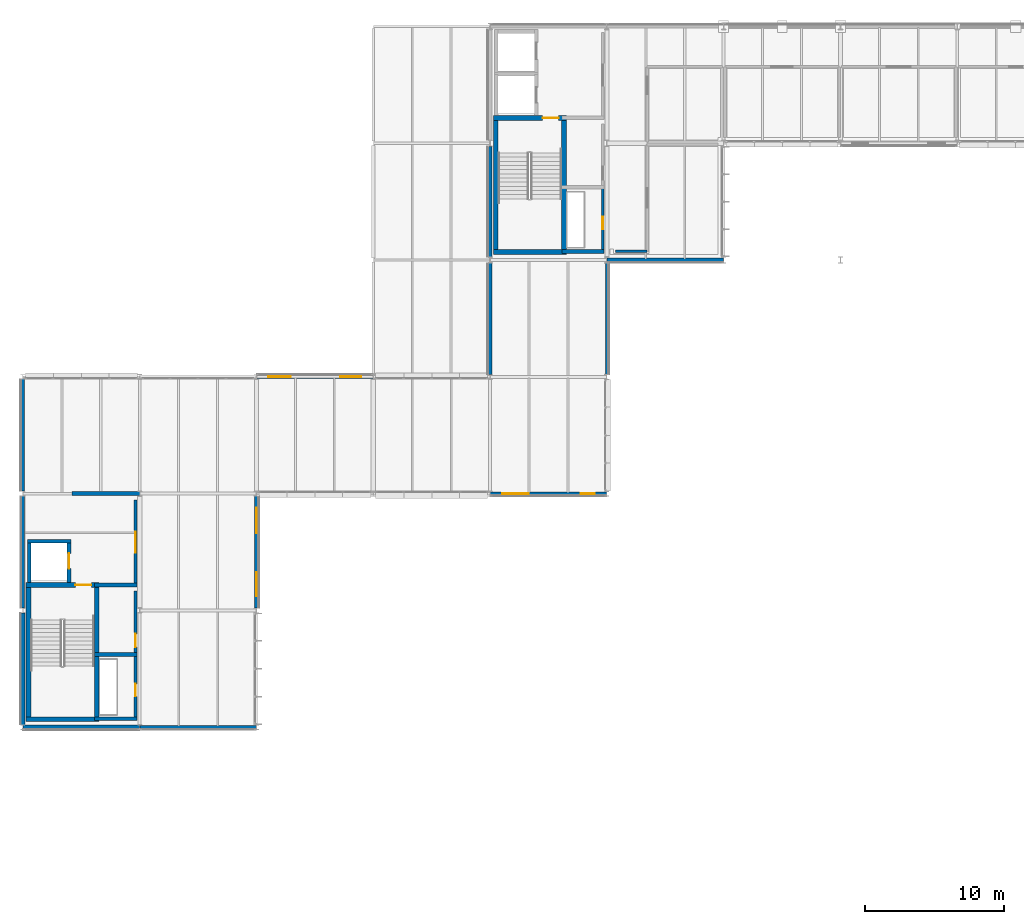
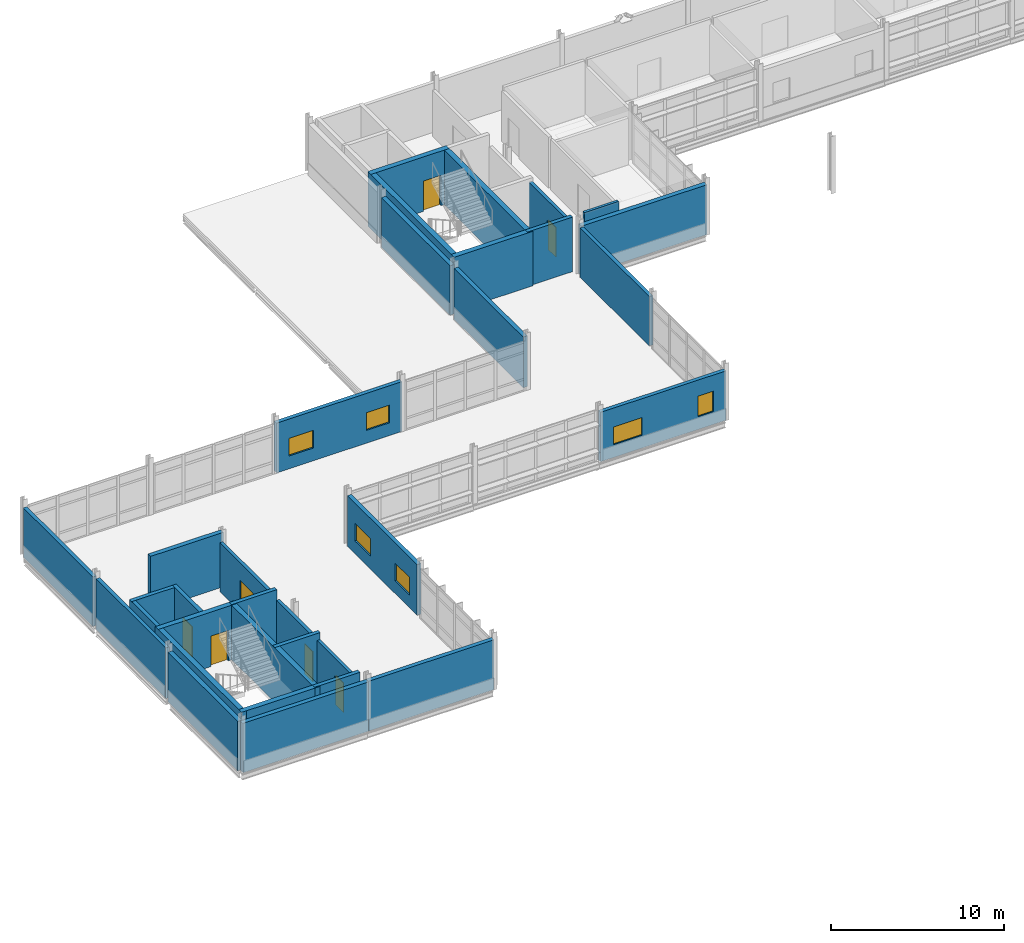
# One storey, part 107 of 131: 33 walls, 7 doors, 6 windows, 13 openings.
"""IFC4 building model written with IfcOpenShell, lengths in metres."""

import ifcopenshell
import ifcopenshell.guid

model = None  # the IFC model being written
_history = None  # IfcOwnerHistory: only IFC2X3 demands one
_inside = {}  # id of a spatial element -> (the spatial element, [elements in it])
_under = {}  # id of a project, library or spatial element -> (it, [spatial elements below it])
_declared = {}  # id of a project -> (the project, [libraries it declares])
_typed = {}  # id of a type object -> (the type object, [elements of that type])
_made_of = {}  # id of a material, layer set ... -> (it, [elements and type objects made of it])


def new_model(schema):
    """Start an empty IFC model of exactly this schema.

    Asked for "IFC4X3", IfcOpenShell would pick the latest addendum, in which some entities
    have other attributes; the version numbers below select the first issue.
    IFC2X3 requires an IfcOwnerHistory on every rooted entity: one is made here for all.
    """
    global model, _history
    if schema == "IFC4X3":
        model = ifcopenshell.file(schema_version=(4, 3, 0, 0))
    else:
        model = ifcopenshell.file(schema=schema)
    _inside.clear()
    _under.clear()
    _declared.clear()
    _typed.clear()
    _made_of.clear()
    _history = None
    if model.schema == "IFC2X3":
        org = make("IfcOrganization", Name="unknown")
        user = make(
            "IfcPersonAndOrganization",
            ThePerson=make("IfcPerson", FamilyName="unknown"),
            TheOrganization=org,
        )
        app = make(
            "IfcApplication",
            ApplicationDeveloper=org,
            Version="unknown",
            ApplicationFullName="unknown",
            ApplicationIdentifier="unknown",
        )
        _history = make(
            "IfcOwnerHistory",
            OwningUser=user,
            OwningApplication=app,
            ChangeAction="ADDED",
            CreationDate=0,
        )
    return model


def make(cls, **values):
    """One entity of the class cls with the attributes given. An attribute that is None is left unset."""
    return model.create_entity(
        cls, **{name: value for name, value in values.items() if value is not None}
    )


def rooted(cls, **values):
    """An entity with a GlobalId (a new one), such as an element, a storey or a relation."""
    return make(cls, GlobalId=ifcopenshell.guid.new(), OwnerHistory=_history, **values)


def si_unit(unit_type, name, prefix=None):
    """IfcSIUnit, for example si_unit("LENGTHUNIT", "METRE", prefix="MILLI")."""
    return make("IfcSIUnit", UnitType=unit_type, Prefix=prefix, Name=name)


def assignment(units):
    """IfcUnitAssignment: the units of a project."""
    return None if units is None else make("IfcUnitAssignment", Units=units)


def point(xyz):
    """IfcCartesianPoint."""
    return None if xyz is None else make("IfcCartesianPoint", Coordinates=xyz)


def direction(xyz):
    """IfcDirection."""
    return None if xyz is None else make("IfcDirection", DirectionRatios=xyz)


def frame(location, z_axis=None, x_axis=None):
    """IfcAxis2Placement3D, a coordinate frame: its origin and axes. An axis left out is left unset."""
    return make(
        "IfcAxis2Placement3D",
        Location=point(location),
        Axis=direction(z_axis),
        RefDirection=direction(x_axis),
    )


def frame_2d(location, x_axis=None):
    """IfcAxis2Placement2D, a coordinate frame in the plane: its origin and x axis."""
    return make(
        "IfcAxis2Placement2D", Location=point(location), RefDirection=direction(x_axis)
    )


def origin():
    """The frame at (0, 0, 0) with its axes left unset."""
    return frame((0.0, 0.0, 0.0))


def place(relative_to, where):
    """IfcLocalPlacement: puts the frame where relative to a parent placement (None: the world)."""
    return make(
        "IfcLocalPlacement", PlacementRelTo=relative_to, RelativePlacement=where
    )


def context(
    kind, dimensions, precision=None, world=None, true_north=None, identifier=None
):
    """IfcGeometricRepresentationContext, for example the 3D "Model" context."""
    return make(
        "IfcGeometricRepresentationContext",
        ContextIdentifier=identifier,
        ContextType=kind,
        CoordinateSpaceDimension=dimensions,
        Precision=precision,
        WorldCoordinateSystem=world,
        TrueNorth=true_north,
    )


def subcontext(parent, identifier, kind, view, scale=None):
    """IfcGeometricRepresentationSubContext, for example "Body" below "Model"."""
    return make(
        "IfcGeometricRepresentationSubContext",
        ContextIdentifier=identifier,
        ContextType=kind,
        ParentContext=parent,
        TargetScale=scale,
        TargetView=view,
    )


def project(units=None, contexts=None):
    """IfcProject with its units and contexts."""
    return rooted(
        "IfcProject",
        Name="project",
        RepresentationContexts=contexts,
        UnitsInContext=assignment(units),
    )


def spatial(cls, under=None, at=None, **own):
    """A site, building, storey or space (cls), placed at a placement, below another one or the project."""
    s = rooted(cls, ObjectPlacement=at, **own)
    if under is not None:
        _under.setdefault(under.id(), (under, []))[1].append(s)
    return s


def profile(cls, at=None, kind="AREA", **sizes):
    """A parametric profile (cls). Its sizes go by their IFC names, for example OverallWidth=200.0."""
    return make(cls, ProfileType=kind, Position=at, **sizes)


def rectangle(**sizes):
    """IfcRectangleProfileDef."""
    return profile("IfcRectangleProfileDef", **sizes)


def extrude(swept, where, along, depth):
    """IfcExtrudedAreaSolid: the profile swept, set in the frame where, extruded along a direction by depth."""
    return make(
        "IfcExtrudedAreaSolid",
        SweptArea=swept,
        Position=where,
        ExtrudedDirection=direction(along),
        Depth=depth,
    )


def shape(context_of_items, identifier, shape_type, items):
    """IfcShapeRepresentation: the items that make up one representation, for example the "Body"."""
    return make(
        "IfcShapeRepresentation",
        ContextOfItems=context_of_items,
        RepresentationIdentifier=identifier,
        RepresentationType=shape_type,
        Items=items,
    )


def material(Name=None, Category=None):
    """IfcMaterial."""
    return make("IfcMaterial", Name=Name, Category=Category)


def layer(
    of_material, thickness, ventilated=None, Name=None, Category=None, Priority=None
):
    """IfcMaterialLayer: one layer of a wall or slab, of a material (None: an air gap)."""
    return make(
        "IfcMaterialLayer",
        Material=of_material,
        LayerThickness=thickness,
        IsVentilated=ventilated,
        Name=Name,
        Category=Category,
        Priority=Priority,
    )


def layer_set(layers, Name=None):
    """IfcMaterialLayerSet."""
    return make("IfcMaterialLayerSet", MaterialLayers=layers, LayerSetName=Name)


def made_of(thing, what):
    """Note that an element or type object is made of a material, layer set ...; save() writes the relation."""
    if what is not None:
        _made_of.setdefault(what.id(), (what, []))[1].append(thing)
    return thing


def type_object(cls, material=None, **own):
    """A type object (cls), such as IfcWallType, which elements share."""
    return made_of(rooted(cls, **own), material)


def element(
    cls,
    number,
    at=None,
    inside=None,
    cuts=None,
    type_object=None,
    material=None,
    context=None,
    identifier="Body",
    shape_type=None,
    held_by="IfcProductDefinitionShape",
    body=None,
    shapes=None,
    **own,
):
    """One element of the class cls, such as IfcWall. Its Tag is "e" and its number.

    at: its placement. inside: the storey or other place that contains it. cuts: it is an
    opening in that element (IfcRelVoidsElement). A single representation is given by context,
    identifier, shape_type and body (its items); several are given by shapes. held_by: the class
    of the entity that holds the representations. save() writes the other relations.
    """
    e = rooted(cls, Tag="e%d" % number, ObjectPlacement=at, **own)
    if body is not None:
        shapes = [shape(context, identifier, shape_type, body)]
    if shapes is not None:
        e.Representation = make(held_by, Representations=shapes)
    if inside is not None:
        _inside.setdefault(inside.id(), (inside, []))[1].append(e)
    if cuts is not None:
        rooted(
            "IfcRelVoidsElement", RelatingBuildingElement=cuts, RelatedOpeningElement=e
        )
    if type_object is not None:
        _typed.setdefault(type_object.id(), (type_object, []))[1].append(e)
    return made_of(e, material)


def fill(opening, filler):
    """IfcRelFillsElement: the door or window that sits in an opening."""
    return rooted(
        "IfcRelFillsElement",
        RelatingOpeningElement=opening,
        RelatedBuildingElement=filler,
    )


def aggregate(whole, parts):
    """IfcRelAggregates: a whole, such as a stair, and the parts it consists of."""
    return rooted("IfcRelAggregates", RelatingObject=whole, RelatedObjects=parts)


def save(model, path):
    """Write the relations noted so far, then the file.

    IfcRelAggregates (storeys below a building ...), IfcRelContainedInSpatialStructure (elements
    in a storey), IfcRelDefinesByType, IfcRelAssociatesMaterial and IfcRelDeclares: one each for
    every whole, place, type object, material and project.
    """
    for whole, parts in _under.values():
        aggregate(whole, parts)
    for where, things in _inside.values():
        rooted(
            "IfcRelContainedInSpatialStructure",
            RelatedElements=things,
            RelatingStructure=where,
        )
    for kind, things in _typed.values():
        rooted("IfcRelDefinesByType", RelatedObjects=things, RelatingType=kind)
    for what, things in _made_of.values():
        rooted("IfcRelAssociatesMaterial", RelatedObjects=things, RelatingMaterial=what)
    for by, libraries in _declared.values():
        rooted("IfcRelDeclares", RelatingContext=by, RelatedDefinitions=libraries)
    model.write(path)


model = new_model("IFC4")

# Units and contexts
model_context = context("Model", 3, precision=1e-05, world=origin(), true_north=direction((0.0, 1.0)))
body_context = subcontext(model_context, "Body", "Model", "MODEL_VIEW")
ifc_project = project(units=[si_unit("LENGTHUNIT", "METRE"), si_unit("AREAUNIT", "SQUARE_METRE"), si_unit("VOLUMEUNIT", "CUBIC_METRE"), si_unit("PLANEANGLEUNIT", "RADIAN"), si_unit("MASSUNIT", "GRAM", prefix="KILO")], contexts=[model_context])

# Site, building, storey
site_placement = place(None, origin())
site = spatial("IfcSite", under=ifc_project, at=site_placement, CompositionType="ELEMENT")
building_placement = place(site_placement, origin())
building = spatial("IfcBuilding", under=site, at=building_placement, Name="Mersafa Astral City Hall", CompositionType="ELEMENT")
storey_placement = place(building_placement, frame((0.0, 0.0, 13.949951171875)))
storey = spatial("IfcBuildingStorey", under=building, at=storey_placement, Name="L03", CompositionType="ELEMENT", Elevation=13.949951171875)

# Walls
ifc_material_1 = material(Name="Precast concrete C40/50 insulated terracotta spandrel", Category="masonry")
ifc_layer_1 = layer(ifc_material_1, 0.235107421875, Name="Precast concrete C40/50 insulated terracotta spandrel")
ifc_layer_set_1 = layer_set([ifc_layer_1], Name="Precast concrete C40/50 insulated terracotta spandrel — ENV-WAL-EXT-235")
wall_type_1 = type_object("IfcWallType", Name="ENV-WAL-EXT-235", PredefinedType="STANDARD", material=ifc_layer_set_1)
wall_1_placement = place(storey_placement, frame((8.39990234375, 92.22412109375, 0.0), z_axis=(0.0, 0.0, 1.0), x_axis=(0.0, -1.0, 0.0)))
element("IfcWall", 1, at=wall_1_placement, inside=storey, type_object=wall_type_1, Name="L03 Limestone-clad exterior wall 269", PredefinedType="STANDARD", context=body_context, shape_type="SweptSolid", body=[
    extrude(rectangle(XDim=8.05810546875, YDim=0.235107421875, at=frame_2d((4.029052734375, 0.0))), origin(), (0.0, 0.0, 1.0), 3.5771484375),
])
wall_2_placement = place(storey_placement, frame((50.39990234375, 100.97607421875, 0.0), z_axis=(0.0, 0.0, 1.0), x_axis=(0.0, 1.0, 0.0)))
element("IfcWall", 2, at=wall_2_placement, inside=storey, type_object=wall_type_1, Name="L03 Limestone-clad exterior wall 275", PredefinedType="STANDARD", context=body_context, shape_type="SweptSolid", body=[
    extrude(rectangle(XDim=8.0029296875, YDim=0.235107421875, at=frame_2d((4.00146484375, 0.0))), origin(), (0.0, 0.0, 1.0), 3.487060546875),
])
ifc_layer_2 = layer(ifc_material_1, 0.25, Name="Precast concrete C40/50 insulated terracotta spandrel")
ifc_layer_set_2 = layer_set([ifc_layer_2], Name="Precast concrete C40/50 insulated terracotta spandrel — ENV-WAL-EXT-250")
wall_type_2 = type_object("IfcWallType", Name="ENV-WAL-EXT-250", PredefinedType="STANDARD", material=ifc_layer_set_2)
wall_3_placement = place(storey_placement, frame((8.39990234375, 100.634033203125, 0.0), z_axis=(0.0, 0.0, 1.0), x_axis=(0.0, -1.0, 0.0)))
element("IfcWall", 3, at=wall_3_placement, inside=storey, type_object=wall_type_2, Name="L03 Limestone-clad exterior wall 268", PredefinedType="STANDARD", context=body_context, shape_type="SweptSolid", body=[
    extrude(rectangle(XDim=8.05810546875, YDim=0.25, at=frame_2d((4.029052734375, 0.0))), origin(), (0.0, 0.0, 1.0), 3.487060546875),
])

# Wall, openings, windows
wall_4_placement = place(storey_placement, frame((42.008056640625, 92.39990234375, 0.0), z_axis=(0.0, 0.0, 1.0), x_axis=(1.0, 0.0, 0.0)))
wall_4 = element("IfcWall", 4, at=wall_4_placement, inside=storey, type_object=wall_type_2, Name="L03 Limestone-clad exterior wall 274", PredefinedType="STANDARD", context=body_context, shape_type="SweptSolid", body=[
    extrude(rectangle(XDim=8.384033203125, YDim=0.25, at=frame_2d((4.19189453125, 0.0))), origin(), (0.0, 0.0, 1.0), 3.487060546875),
])
opening_1_placement = place(wall_4_placement, frame((0.85009765625, 0.0, 0.89990234375)))
opening_1 = element("IfcOpeningElement", 5, at=opening_1_placement, cuts=wall_4, Name="Opening W-20", PredefinedType="OPENING", context=body_context, shape_type="SweptSolid", body=[
    extrude(rectangle(XDim=1.919921875, YDim=1.25, at=frame_2d((0.9599609375, 0.625))), frame((0.0, 0.135009765625, 0.0), z_axis=(0.0, -1.0, 0.0), x_axis=(1.0, 0.0, 0.0)), (0.0, 0.0, 1.0), 0.27001953125),
])
opening_2_placement = place(wall_4_placement, frame((6.513916015625, 0.0, 0.89990234375)))
opening_2 = element("IfcOpeningElement", 6, at=opening_2_placement, cuts=wall_4, Name="Opening W-21", PredefinedType="OPENING", context=body_context, shape_type="SweptSolid", body=[
    extrude(rectangle(XDim=1.02001953125, YDim=1.449951171875, at=frame_2d((0.510009765625, 0.72509765625))), frame((0.0, 0.135009765625, 0.0), z_axis=(0.0, -1.0, 0.0), x_axis=(1.0, 0.0, 0.0)), (0.0, 0.0, 1.0), 0.27001953125),
])
ifc_material_2 = material(Name="Solar control low-e double glazing in bronze frame", Category="glass")
window_type_1 = type_object("IfcWindowType", Name="ENV-WIN-W-20", PartitioningType="SINGLE_PANEL", PredefinedType="WINDOW", material=ifc_material_2)
window_1_placement = place(opening_1_placement, origin())
window_1 = element("IfcWindow", 7, at=window_1_placement, inside=storey, type_object=window_type_1, Name="L03 Solar punched window 274-L", OverallHeight=1.25, OverallWidth=1.919921875, PartitioningType="SINGLE_PANEL", PredefinedType="WINDOW", context=body_context, shape_type="SweptSolid", body=[
    extrude(rectangle(XDim=1.919921875, YDim=1.25, at=frame_2d((0.9599609375, 0.625))), frame((0.0, 0.030029296875, 0.0), z_axis=(0.0, -1.0, 0.0), x_axis=(1.0, 0.0, 0.0)), (0.0, 0.0, 1.0), 0.06005859375),
])
fill(opening_1, window_1)
window_type_2 = type_object("IfcWindowType", Name="ENV-WIN-W-21", PartitioningType="SINGLE_PANEL", PredefinedType="WINDOW", material=ifc_material_2)
window_2_placement = place(opening_2_placement, origin())
window_2 = element("IfcWindow", 8, at=window_2_placement, inside=storey, type_object=window_type_2, Name="L03 Solar punched window 274-R", OverallHeight=1.449951171875, OverallWidth=1.02001953125, PartitioningType="SINGLE_PANEL", PredefinedType="WINDOW", context=body_context, shape_type="SweptSolid", body=[
    extrude(rectangle(XDim=1.02001953125, YDim=1.449951171875, at=frame_2d((0.510009765625, 0.72509765625))), frame((0.0, 0.030029296875, 0.0), z_axis=(0.0, -1.0, 0.0), x_axis=(1.0, 0.0, 0.0)), (0.0, 0.0, 1.0), 0.06005859375),
])
fill(opening_2, window_2)

ifc_material_3 = material(Name="Precast concrete C40/50 insulated limestone wall", Category="masonry")
ifc_layer_3 = layer(ifc_material_3, 0.264892578125, Name="Precast concrete C40/50 insulated limestone wall")
ifc_layer_set_3 = layer_set([ifc_layer_3], Name="Precast concrete C40/50 insulated limestone wall — ENV-WAL-EXT-265")
wall_type_3 = type_object("IfcWallType", Name="ENV-WAL-EXT-265", PredefinedType="STANDARD", material=ifc_layer_set_3)
wall_5_placement = place(storey_placement, frame((33.592041015625, 100.800048828125, 0.0), z_axis=(0.0, 0.0, 1.0), x_axis=(-1.0, 0.0, 0.0)))
wall_5 = element("IfcWall", 9, at=wall_5_placement, inside=storey, type_object=wall_type_3, Name="L03 Limestone-clad exterior wall 267", PredefinedType="STANDARD", context=body_context, shape_type="SweptSolid", body=[
    extrude(rectangle(XDim=8.384033203125, YDim=0.264892578125, at=frame_2d((4.19189453125, 0.0))), origin(), (0.0, 0.0, 1.0), 3.51708984375),
])
opening_3_placement = place(wall_5_placement, frame((0.85009765625, 0.0, 0.89990234375)))
opening_3 = element("IfcOpeningElement", 10, at=opening_3_placement, cuts=wall_5, Name="Opening W-16", PredefinedType="OPENING", context=body_context, shape_type="SweptSolid", body=[
    extrude(rectangle(XDim=1.52001953125, YDim=1.25, at=frame_2d((0.760009765625, 0.625))), frame((0.0, 0.142333984375, 0.0), z_axis=(0.0, -1.0, 0.0), x_axis=(1.0, 0.0, 0.0)), (0.0, 0.0, 1.0), 0.284912109375),
])
opening_4_placement = place(wall_5_placement, frame((5.9140625, 0.0, 0.89990234375)))
opening_4 = element("IfcOpeningElement", 11, at=opening_4_placement, cuts=wall_5, Name="Opening W-17", PredefinedType="OPENING", context=body_context, shape_type="SweptSolid", body=[
    extrude(rectangle(XDim=1.6201171875, YDim=1.25, at=frame_2d((0.81005859375, 0.625))), frame((0.0, 0.142333984375, 0.0), z_axis=(0.0, -1.0, 0.0), x_axis=(1.0, 0.0, 0.0)), (0.0, 0.0, 1.0), 0.284912109375),
])
window_type_3 = type_object("IfcWindowType", Name="ENV-WIN-W-16", PartitioningType="SINGLE_PANEL", PredefinedType="WINDOW", material=ifc_material_2)
window_3_placement = place(opening_3_placement, origin())
window_3 = element("IfcWindow", 12, at=window_3_placement, inside=storey, type_object=window_type_3, Name="L03 Solar punched window 267-L", OverallHeight=1.25, OverallWidth=1.52001953125, PartitioningType="SINGLE_PANEL", PredefinedType="WINDOW", context=body_context, shape_type="SweptSolid", body=[
    extrude(rectangle(XDim=1.52001953125, YDim=1.25, at=frame_2d((0.760009765625, 0.625))), frame((0.0, 0.030029296875, 0.0), z_axis=(0.0, -1.0, 0.0), x_axis=(1.0, 0.0, 0.0)), (0.0, 0.0, 1.0), 0.06005859375),
])
fill(opening_3, window_3)
window_type_4 = type_object("IfcWindowType", Name="ENV-WIN-W-17", PartitioningType="SINGLE_PANEL", PredefinedType="WINDOW", material=ifc_material_2)
window_4_placement = place(opening_4_placement, origin())
window_4 = element("IfcWindow", 13, at=window_4_placement, inside=storey, type_object=window_type_4, Name="L03 Solar punched window 267-R", OverallHeight=1.25, OverallWidth=1.6201171875, PartitioningType="SINGLE_PANEL", PredefinedType="WINDOW", context=body_context, shape_type="SweptSolid", body=[
    extrude(rectangle(XDim=1.6201171875, YDim=1.25, at=frame_2d((0.81005859375, 0.625))), frame((0.0, 0.030029296875, 0.0), z_axis=(0.0, -1.0, 0.0), x_axis=(1.0, 0.0, 0.0)), (0.0, 0.0, 1.0), 0.06005859375),
])
fill(opening_4, window_4)

wall_6_placement = place(storey_placement, frame((25.199951171875, 84.166015625, 0.0), z_axis=(0.0, 0.0, 1.0), x_axis=(0.0, 1.0, 0.0)))
wall_6 = element("IfcWall", 14, at=wall_6_placement, inside=storey, type_object=wall_type_3, Name="L03 Limestone-clad exterior wall 273", PredefinedType="STANDARD", context=body_context, shape_type="SweptSolid", body=[
    extrude(rectangle(XDim=8.05810546875, YDim=0.264892578125, at=frame_2d((4.029052734375, 0.0))), origin(), (0.0, 0.0, 1.0), 3.5771484375),
])
opening_5_placement = place(wall_6_placement, frame((0.85009765625, 0.0, 0.89990234375)))
opening_5 = element("IfcOpeningElement", 15, at=opening_5_placement, cuts=wall_6, Name="Opening W-18", PredefinedType="OPENING", context=body_context, shape_type="SweptSolid", body=[
    extrude(rectangle(XDim=1.719970703125, YDim=1.25, at=frame_2d((0.85986328125, 0.625))), frame((0.0, 0.142333984375, 0.0), z_axis=(0.0, -1.0, 0.0), x_axis=(1.0, 0.0, 0.0)), (0.0, 0.0, 1.0), 0.284912109375),
])
opening_6_placement = place(wall_6_placement, frame((5.387939453125, 0.0, 0.89990234375)))
opening_6 = element("IfcOpeningElement", 16, at=opening_6_placement, cuts=wall_6, Name="Opening W-19", PredefinedType="OPENING", context=body_context, shape_type="SweptSolid", body=[
    extrude(rectangle(XDim=1.820068359375, YDim=1.25, at=frame_2d((0.91015625, 0.625))), frame((0.0, 0.142333984375, 0.0), z_axis=(0.0, -1.0, 0.0), x_axis=(1.0, 0.0, 0.0)), (0.0, 0.0, 1.0), 0.284912109375),
])
window_type_5 = type_object("IfcWindowType", Name="ENV-WIN-W-18", PartitioningType="SINGLE_PANEL", PredefinedType="WINDOW", material=ifc_material_2)
window_5_placement = place(opening_5_placement, origin())
window_5 = element("IfcWindow", 17, at=window_5_placement, inside=storey, type_object=window_type_5, Name="L03 Solar punched window 273-L", OverallHeight=1.25, OverallWidth=1.719970703125, PartitioningType="SINGLE_PANEL", PredefinedType="WINDOW", context=body_context, shape_type="SweptSolid", body=[
    extrude(rectangle(XDim=1.719970703125, YDim=1.25, at=frame_2d((0.85986328125, 0.625))), frame((0.0, 0.030029296875, 0.0), z_axis=(0.0, -1.0, 0.0), x_axis=(1.0, 0.0, 0.0)), (0.0, 0.0, 1.0), 0.06005859375),
])
fill(opening_5, window_5)
window_type_6 = type_object("IfcWindowType", Name="ENV-WIN-W-19", PartitioningType="SINGLE_PANEL", PredefinedType="WINDOW", material=ifc_material_2)
window_6_placement = place(opening_6_placement, origin())
window_6 = element("IfcWindow", 18, at=window_6_placement, inside=storey, type_object=window_type_6, Name="L03 Solar punched window 273-R", OverallHeight=1.25, OverallWidth=1.820068359375, PartitioningType="SINGLE_PANEL", PredefinedType="WINDOW", context=body_context, shape_type="SweptSolid", body=[
    extrude(rectangle(XDim=1.820068359375, YDim=1.25, at=frame_2d((0.91015625, 0.625))), frame((0.0, 0.030029296875, 0.0), z_axis=(0.0, -1.0, 0.0), x_axis=(1.0, 0.0, 0.0)), (0.0, 0.0, 1.0), 0.06005859375),
])
fill(opening_6, window_6)

# Walls
ifc_layer_4 = layer(ifc_material_3, 0.280029296875, Name="Precast concrete C40/50 insulated limestone wall")
ifc_layer_set_4 = layer_set([ifc_layer_4], Name="Precast concrete C40/50 insulated limestone wall — ENV-WAL-EXT-280")
wall_type_4 = type_object("IfcWallType", Name="ENV-WAL-EXT-280", PredefinedType="STANDARD", material=ifc_layer_set_4)
wall_7_placement = place(storey_placement, frame((42.0, 108.97900390625, 0.0), z_axis=(0.0, 0.0, 1.0), x_axis=(0.0, -1.0, 0.0)))
element("IfcWall", 19, at=wall_7_placement, inside=storey, type_object=wall_type_4, Name="L03 Limestone-clad exterior wall 266", PredefinedType="STANDARD", context=body_context, shape_type="SweptSolid", body=[
    extrude(rectangle(XDim=8.012939453125, YDim=0.280029296875, at=frame_2d((4.00634765625, 0.0))), origin(), (0.0, 0.0, 1.0), 3.5771484375),
])
wall_8_placement = place(storey_placement, frame((16.80810546875, 75.60009765625, 0.0), z_axis=(0.0, 0.0, 1.0), x_axis=(1.0, 0.0, 0.0)))
element("IfcWall", 20, at=wall_8_placement, inside=storey, type_object=wall_type_4, Name="L03 Limestone-clad exterior wall 272", PredefinedType="STANDARD", context=body_context, shape_type="SweptSolid", body=[
    extrude(rectangle(XDim=8.3837890625, YDim=0.280029296875, at=frame_2d((4.19189453125, 0.0))), origin(), (0.0, 0.0, 1.0), 3.51708984375),
])
ifc_layer_5 = layer(ifc_material_3, 0.294921875, Name="Precast concrete C40/50 insulated limestone wall")
ifc_layer_set_5 = layer_set([ifc_layer_5], Name="Precast concrete C40/50 insulated limestone wall — ENV-WAL-EXT-295")
wall_type_5 = type_object("IfcWallType", Name="ENV-WAL-EXT-295", PredefinedType="STANDARD", material=ifc_layer_set_5)
wall_9_placement = place(storey_placement, frame((42.0, 117.37890625, 0.0), z_axis=(0.0, 0.0, 1.0), x_axis=(0.0, -1.0, 0.0)))
element("IfcWall", 21, at=wall_9_placement, inside=storey, type_object=wall_type_5, Name="L03 Limestone-clad exterior wall 265", PredefinedType="STANDARD", context=body_context, shape_type="SweptSolid", body=[
    extrude(rectangle(XDim=7.9580078125, YDim=0.294921875, at=frame_2d((3.97900390625, 0.0))), origin(), (0.0, 0.0, 1.0), 3.487060546875),
])
wall_10_placement = place(storey_placement, frame((8.407958984375, 75.60009765625, 0.0), z_axis=(0.0, 0.0, 1.0), x_axis=(1.0, 0.0, 0.0)))
element("IfcWall", 22, at=wall_10_placement, inside=storey, type_object=wall_type_5, Name="L03 Limestone-clad exterior wall 271", PredefinedType="STANDARD", context=body_context, shape_type="SweptSolid", body=[
    extrude(rectangle(XDim=8.384033203125, YDim=0.294921875, at=frame_2d((4.19189453125, 0.0))), origin(), (0.0, 0.0, 1.0), 3.487060546875),
])
ifc_layer_6 = layer(ifc_material_3, 0.31005859375, Name="Precast concrete C40/50 insulated limestone wall")
ifc_layer_set_6 = layer_set([ifc_layer_6], Name="Precast concrete C40/50 insulated limestone wall — ENV-WAL-EXT-310")
wall_type_6 = type_object("IfcWallType", Name="ENV-WAL-EXT-310", PredefinedType="STANDARD", material=ifc_layer_set_6)
wall_11_placement = place(storey_placement, frame((8.39990234375, 83.833984375, 0.0), z_axis=(0.0, 0.0, 1.0), x_axis=(0.0, -1.0, 0.0)))
element("IfcWall", 23, at=wall_11_placement, inside=storey, type_object=wall_type_6, Name="L03 Limestone-clad exterior wall 270", PredefinedType="STANDARD", context=body_context, shape_type="SweptSolid", body=[
    extrude(rectangle(XDim=8.05810546875, YDim=0.31005859375, at=frame_2d((4.029052734375, 0.0))), origin(), (0.0, 0.0, 1.0), 3.487060546875),
])
wall_12_placement = place(storey_placement, frame((50.407958984375, 109.199951171875, 0.0), z_axis=(0.0, 0.0, 1.0), x_axis=(1.0, 0.0, 0.0)))
element("IfcWall", 24, at=wall_12_placement, inside=storey, type_object=wall_type_6, Name="L03 Limestone-clad exterior wall 276", PredefinedType="STANDARD", context=body_context, shape_type="SweptSolid", body=[
    extrude(rectangle(XDim=8.384033203125, YDim=0.31005859375, at=frame_2d((4.19189453125, 0.0))), origin(), (0.0, 0.0, 1.0), 3.51708984375),
])
ifc_material_4 = material(Name="Concrete C40/50", Category="concrete")
ifc_layer_7 = layer(ifc_material_4, 0.260009765625, Name="Concrete C40/50")
ifc_layer_set_7 = layer_set([ifc_layer_7], Name="Concrete C40/50 — INT-WAL-CORE-260")
wall_type_7 = type_object("IfcWallType", Name="INT-WAL-CORE-260", PredefinedType="SHEAR", material=ifc_layer_set_7)
wall_13_placement = place(storey_placement, frame((47.1650390625, 109.820068359375, 0.0), z_axis=(0.0, 0.0, 1.0), x_axis=(1.0, 0.0, 0.0)))
element("IfcWall", 25, at=wall_13_placement, inside=storey, type_object=wall_type_7, Name="L03 Core K3 riser south wall", PredefinedType="SHEAR", context=body_context, shape_type="SweptSolid", body=[
    extrude(rectangle(XDim=3.034912109375, YDim=0.260009765625, at=frame_2d((1.517578125, 0.0))), origin(), (0.0, 0.0, 1.0), 3.85009765625),
])
wall_14_placement = place(storey_placement, frame((8.715087890625, 88.985107421875, 0.0), z_axis=(0.0, 0.0, 1.0), x_axis=(1.0, 0.0, 0.0)))
element("IfcWall", 26, at=wall_14_placement, inside=storey, type_object=wall_type_7, Name="L03 Lift LF8 north shaft wall", PredefinedType="SHEAR", context=body_context, shape_type="SweptSolid", body=[
    extrude(rectangle(XDim=3.1298828125, YDim=0.260009765625, at=frame_2d((1.56494140625, 0.0))), origin(), (0.0, 0.0, 1.0), 3.85009765625),
])
wall_15_placement = place(storey_placement, frame((8.844970703125, 85.9970703125, 0.0), z_axis=(0.0, 0.0, 1.0), x_axis=(0.0, 1.0, 0.0)))
element("IfcWall", 27, at=wall_15_placement, inside=storey, type_object=wall_type_7, Name="L03 Lift LF8 back shaft wall", PredefinedType="SHEAR", context=body_context, shape_type="SweptSolid", body=[
    extrude(rectangle(XDim=3.117919921875, YDim=0.260009765625, at=frame_2d((1.55908203125, 0.0))), origin(), (0.0, 0.0, 1.0), 3.85009765625),
])

# Wall, opening, door
wall_16_placement = place(storey_placement, frame((11.715087890625, 85.9970703125, 0.0), z_axis=(0.0, 0.0, 1.0), x_axis=(0.0, 1.0, 0.0)))
wall_16 = element("IfcWall", 28, at=wall_16_placement, inside=storey, type_object=wall_type_7, Name="L03 Lift LF8 front shaft wall", PredefinedType="SHEAR", context=body_context, shape_type="SweptSolid", body=[
    extrude(rectangle(XDim=3.117919921875, YDim=0.260009765625, at=frame_2d((1.55908203125, 0.0))), origin(), (0.0, 0.0, 1.0), 3.85009765625),
])
opening_7_placement = place(wall_16_placement, frame((1.009033203125, 0.0, 0.0)))
opening_7 = element("IfcOpeningElement", 29, at=opening_7_placement, cuts=wall_16, Name="Opening LD-1", PredefinedType="OPENING", context=body_context, shape_type="SweptSolid", body=[
    extrude(rectangle(XDim=1.10009765625, YDim=2.14990234375, at=frame_2d((0.550048828125, 1.074951171875))), frame((0.0, 0.139892578125, 0.0), z_axis=(0.0, -1.0, 0.0), x_axis=(1.0, 0.0, 0.0)), (0.0, 0.0, 1.0), 0.280029296875),
])
ifc_material_5 = material(Name="Stainless steel sliding lift landing door", Category="steel")
door_type_1 = type_object("IfcDoorType", Name="INT-DR-LIFT-LD1", OperationType="NOTDEFINED", PredefinedType="DOOR", material=ifc_material_5)
door_1_placement = place(opening_7_placement, origin())
door_1 = element("IfcDoor", 30, at=door_1_placement, inside=storey, type_object=door_type_1, Name="Elevator LF8 Sliding Landing Door L03", OperationType="DOUBLE_DOOR_SLIDING", OverallHeight=2.14990234375, OverallWidth=1.10009765625, PredefinedType="DOOR", context=body_context, shape_type="SweptSolid", body=[
    extrude(rectangle(XDim=1.10009765625, YDim=2.14990234375, at=frame_2d((0.550048828125, 1.074951171875))), frame((0.0, 0.02490234375, 0.0), z_axis=(0.0, -1.0, 0.0), x_axis=(1.0, 0.0, 0.0)), (0.0, 0.0, 1.0), 0.050048828125),
])
fill(opening_7, door_1)

# Walls
for number, where, z_axis, x_axis, name in (
    (31, (13.56494140625, 76.219970703125, 0.0), (0.0, 0.0, 1.0), (1.0, 0.0, 0.0), "L03 Core K6 riser south wall"),
    (32, (13.56494140625, 80.8349609375, 0.0), (0.0, 0.0, 1.0), (1.0, 0.0, 0.0), "L03 Core K6 riser-restroom divider wall"),
    (33, (13.56494140625, 85.8349609375, 0.0), (0.0, 0.0, 1.0), (1.0, 0.0, 0.0), "L03 Core K6 restroom-lobby divider wall"),
):
    element("IfcWall", number, at=place(storey_placement, frame(where, z_axis=z_axis, x_axis=x_axis)), inside=storey, type_object=wall_type_7, Name=name, PredefinedType="SHEAR", context=body_context, shape_type="SweptSolid", body=[
        extrude(rectangle(XDim=3.03515625, YDim=0.260009765625, at=frame_2d((1.517578125, 0.0))), origin(), (0.0, 0.0, 1.0), 3.85009765625),
    ])
ifc_layer_8 = layer(ifc_material_4, 0.300048828125, Name="Concrete C40/50")
ifc_layer_set_8 = layer_set([ifc_layer_8], Name="Concrete C40/50 — INT-WAL-CORE-300")
wall_type_8 = type_object("IfcWallType", Name="INT-WAL-CORE-300", PredefinedType="SHEAR", material=ifc_layer_set_8)
wall_17_placement = place(storey_placement, frame((11.949951171875, 92.409912109375, 0.0), z_axis=(0.0, 0.0, 1.0), x_axis=(1.0, 0.0, 0.0)))
element("IfcWall", 34, at=wall_17_placement, inside=storey, type_object=wall_type_8, Name="L03 Core K6 lobby north shear wall", PredefinedType="SHEAR", context=body_context, shape_type="SweptSolid", body=[
    extrude(rectangle(XDim=4.8701171875, YDim=0.300048828125, at=frame_2d((2.43505859375, 0.0))), origin(), (0.0, 0.0, 1.0), 3.85009765625),
])
ifc_layer_9 = layer(ifc_material_4, 0.340087890625, Name="Concrete C40/50")
ifc_layer_set_9 = layer_set([ifc_layer_9], Name="Concrete C40/50 — INT-WAL-CORE-340")
wall_type_9 = type_object("IfcWallType", Name="INT-WAL-CORE-340", PredefinedType="SHEAR", material=ifc_layer_set_9)
for number, where, z_axis, x_axis, name in (
    (35, (42.405029296875, 109.60498046875, 0.0), (0.0, 0.0, 1.0), (0.0, 1.0, 0.0), "L03 Core K3 stair west shear wall"),
    (36, (47.31494140625, 109.60498046875, 0.0), (0.0, 0.0, 1.0), (0.0, 1.0, 0.0), "L03 Core K3 stair east shear wall"),
):
    element("IfcWall", number, at=place(storey_placement, frame(where, z_axis=z_axis, x_axis=x_axis)), inside=storey, type_object=wall_type_9, Name=name, PredefinedType="SHEAR", context=body_context, shape_type="SweptSolid", body=[
        extrude(rectangle(XDim=9.989990234375, YDim=0.340087890625, at=frame_2d((4.9951171875, 0.0))), origin(), (0.0, 0.0, 1.0), 3.85009765625),
    ])
wall_18_placement = place(storey_placement, frame((42.235107421875, 109.77490234375, 0.0), z_axis=(0.0, 0.0, 1.0), x_axis=(1.0, 0.0, 0.0)))
element("IfcWall", 37, at=wall_18_placement, inside=storey, type_object=wall_type_9, Name="L03 Core K3 stair south shear wall", PredefinedType="SHEAR", context=body_context, shape_type="SweptSolid", body=[
    extrude(rectangle(XDim=5.25, YDim=0.340087890625, at=frame_2d((2.625, 0.0))), origin(), (0.0, 0.0, 1.0), 3.85009765625),
])

# Wall, opening, door
wall_19_placement = place(storey_placement, frame((42.235107421875, 119.425048828125, 0.0), z_axis=(0.0, 0.0, 1.0), x_axis=(1.0, 0.0, 0.0)))
wall_19 = element("IfcWall", 38, at=wall_19_placement, inside=storey, type_object=wall_type_9, Name="L03 Core K3 stair-lobby fire wall", PredefinedType="SHEAR", context=body_context, shape_type="SweptSolid", body=[
    extrude(rectangle(XDim=5.25, YDim=0.340087890625, at=frame_2d((2.625, 0.0))), origin(), (0.0, 0.0, 1.0), 3.85009765625),
])
opening_8_placement = place(wall_19_placement, frame((3.534912109375, 0.0, 0.0)))
opening_8 = element("IfcOpeningElement", 39, at=opening_8_placement, cuts=wall_19, Name="Opening CD-1", PredefinedType="OPENING", context=body_context, shape_type="SweptSolid", body=[
    extrude(rectangle(XDim=1.14990234375, YDim=2.14990234375, at=frame_2d((0.574951171875, 1.074951171875))), frame((0.0, 0.179931640625, 0.0), z_axis=(0.0, -1.0, 0.0), x_axis=(1.0, 0.0, 0.0)), (0.0, 0.0, 1.0), 0.360107421875),
])
ifc_material_6 = material(Name="Fire-rated steel stair door", Category="steel")
door_type_2 = type_object("IfcDoorType", Name="INT-DR-STAIR-FD90-1150", OperationType="NOTDEFINED", PredefinedType="DOOR", material=ifc_material_6)
door_2_placement = place(opening_8_placement, origin())
door_2 = element("IfcDoor", 40, at=door_2_placement, inside=storey, type_object=door_type_2, Name="L03 Protected Stair ST3 Door", OperationType="SINGLE_SWING_LEFT", OverallHeight=2.14990234375, OverallWidth=1.14990234375, PredefinedType="DOOR", context=body_context, shape_type="SweptSolid", body=[
    extrude(rectangle(XDim=1.14990234375, YDim=2.14990234375, at=frame_2d((0.574951171875, 1.074951171875))), frame((0.0, 0.02490234375, 0.0), z_axis=(0.0, -1.0, 0.0), x_axis=(1.0, 0.0, 0.0)), (0.0, 0.0, 1.0), 0.050048828125),
])
fill(opening_8, door_2)

# Walls
for number, where, z_axis, x_axis, name in (
    (41, (8.804931640625, 76.0048828125, 0.0), (0.0, 0.0, 1.0), (0.0, 1.0, 0.0), "L03 Core K6 stair west shear wall"),
    (42, (13.715087890625, 76.0048828125, 0.0), (0.0, 0.0, 1.0), (0.0, 1.0, 0.0), "L03 Core K6 stair east shear wall"),
):
    element("IfcWall", number, at=place(storey_placement, frame(where, z_axis=z_axis, x_axis=x_axis)), inside=storey, type_object=wall_type_9, Name=name, PredefinedType="SHEAR", context=body_context, shape_type="SweptSolid", body=[
        extrude(rectangle(XDim=9.990234375, YDim=0.340087890625, at=frame_2d((4.9951171875, 0.0))), origin(), (0.0, 0.0, 1.0), 3.85009765625),
    ])
wall_20_placement = place(storey_placement, frame((8.635009765625, 76.175048828125, 0.0), z_axis=(0.0, 0.0, 1.0), x_axis=(1.0, 0.0, 0.0)))
element("IfcWall", 43, at=wall_20_placement, inside=storey, type_object=wall_type_9, Name="L03 Core K6 stair south shear wall", PredefinedType="SHEAR", context=body_context, shape_type="SweptSolid", body=[
    extrude(rectangle(XDim=5.25, YDim=0.340087890625, at=frame_2d((2.625, 0.0))), origin(), (0.0, 0.0, 1.0), 3.85009765625),
])

# Wall, opening, door
wall_21_placement = place(storey_placement, frame((8.635009765625, 85.824951171875, 0.0), z_axis=(0.0, 0.0, 1.0), x_axis=(1.0, 0.0, 0.0)))
wall_21 = element("IfcWall", 44, at=wall_21_placement, inside=storey, type_object=wall_type_9, Name="L03 Core K6 stair-lobby fire wall", PredefinedType="SHEAR", context=body_context, shape_type="SweptSolid", body=[
    extrude(rectangle(XDim=5.25, YDim=0.340087890625, at=frame_2d((2.625, 0.0))), origin(), (0.0, 0.0, 1.0), 3.85009765625),
])
opening_9_placement = place(wall_21_placement, frame((3.534912109375, 0.0, 0.0)))
opening_9 = element("IfcOpeningElement", 45, at=opening_9_placement, cuts=wall_21, Name="Opening CD-1", PredefinedType="OPENING", context=body_context, shape_type="SweptSolid", body=[
    extrude(rectangle(XDim=1.14990234375, YDim=2.14990234375, at=frame_2d((0.574951171875, 1.074951171875))), frame((0.0, 0.179931640625, 0.0), z_axis=(0.0, -1.0, 0.0), x_axis=(1.0, 0.0, 0.0)), (0.0, 0.0, 1.0), 0.360107421875),
])
door_3_placement = place(opening_9_placement, origin())
door_3 = element("IfcDoor", 46, at=door_3_placement, inside=storey, type_object=door_type_2, Name="L03 Protected Stair ST6 Door", OperationType="SINGLE_SWING_LEFT", OverallHeight=2.14990234375, OverallWidth=1.14990234375, PredefinedType="DOOR", context=body_context, shape_type="SweptSolid", body=[
    extrude(rectangle(XDim=1.14990234375, YDim=2.14990234375, at=frame_2d((0.574951171875, 1.074951171875))), frame((0.0, 0.02490234375, 0.0), z_axis=(0.0, -1.0, 0.0), x_axis=(1.0, 0.0, 0.0)), (0.0, 0.0, 1.0), 0.050048828125),
])
fill(opening_9, door_3)

# Wall
ifc_material_7 = material(Name="Acoustic twin-stud gypsum partition", Category="gypsum")
ifc_layer_10 = layer(ifc_material_7, 0.179931640625, Name="Acoustic twin-stud gypsum partition")
ifc_layer_set_10 = layer_set([ifc_layer_10], Name="Acoustic twin-stud gypsum partition — INT-WAL-PART-EI60-180")
wall_type_10 = type_object("IfcWallType", Name="INT-WAL-PART-EI60-180", PredefinedType="STANDARD", material=ifc_layer_set_10)
wall_22_placement = place(storey_placement, frame((51.02001953125, 109.820068359375, -0.00390625), z_axis=(0.0, 0.0, 1.0), x_axis=(1.0, 0.0, 0.0)))
element("IfcWall", 47, at=wall_22_placement, inside=storey, type_object=wall_type_10, Name="L03 Interior partition wall 614", PredefinedType="STANDARD", context=body_context, shape_type="SweptSolid", body=[
    extrude(rectangle(XDim=2.280029296875, YDim=0.179931640625, at=frame_2d((1.14013671875, 0.0))), origin(), (0.0, 0.0, 1.0), 3.85400390625),
])

# Wall, opening, door
ifc_material_8 = material(Name="Autoclaved aerated concrete blockwork plastered", Category="masonry")
ifc_layer_11 = layer(ifc_material_8, 0.2099609375, Name="Autoclaved aerated concrete blockwork plastered")
ifc_layer_set_11 = layer_set([ifc_layer_11], Name="Autoclaved aerated concrete blockwork plastered — INT-WAL-PART-EI60-210")
wall_type_11 = type_object("IfcWallType", Name="INT-WAL-PART-EI60-210", PredefinedType="STANDARD", material=ifc_layer_set_11)
wall_23_placement = place(storey_placement, frame((50.10009765625, 109.820068359375, 0.0), z_axis=(0.0, 0.0, 1.0), x_axis=(0.0, 1.0, 0.0)))
wall_23 = element("IfcWall", 48, at=wall_23_placement, inside=storey, type_object=wall_type_11, Name="L03 Core K3 riser corridor partition", PredefinedType="STANDARD", context=body_context, shape_type="SweptSolid", body=[
    extrude(rectangle(XDim=4.58984375, YDim=0.2099609375, at=frame_2d((2.294921875, 0.0))), origin(), (0.0, 0.0, 1.0), 3.537109375),
])
opening_10_placement = place(wall_23_placement, frame((1.60009765625, 0.0, 0.0)))
opening_10 = element("IfcOpeningElement", 49, at=opening_10_placement, cuts=wall_23, Name="Opening CD-5", PredefinedType="OPENING", context=body_context, shape_type="SweptSolid", body=[
    extrude(rectangle(XDim=0.89990234375, YDim=2.10009765625, at=frame_2d((0.449951171875, 1.050048828125))), frame((0.0, 0.114990234375, 0.0), z_axis=(0.0, -1.0, 0.0), x_axis=(1.0, 0.0, 0.0)), (0.0, 0.0, 1.0), 0.22998046875),
])
ifc_material_9 = material(Name="Fire-rated steel riser access door", Category="steel")
door_type_3 = type_object("IfcDoorType", Name="INT-DR-RISER-FD60-900", OperationType="NOTDEFINED", PredefinedType="DOOR", material=ifc_material_9)
door_4_placement = place(opening_10_placement, origin())
door_4 = element("IfcDoor", 50, at=door_4_placement, inside=storey, type_object=door_type_3, Name="L03 K3 MEP Riser Access Door", OperationType="SINGLE_SWING_RIGHT", OverallHeight=2.10009765625, OverallWidth=0.89990234375, PredefinedType="DOOR", context=body_context, shape_type="SweptSolid", body=[
    extrude(rectangle(XDim=0.89990234375, YDim=2.10009765625, at=frame_2d((0.449951171875, 1.050048828125))), frame((0.0, 0.02490234375, 0.0), z_axis=(0.0, -1.0, 0.0), x_axis=(1.0, 0.0, 0.0)), (0.0, 0.0, 1.0), 0.050048828125),
])
fill(opening_10, door_4)

wall_24_placement = place(storey_placement, frame((16.5, 76.219970703125, 0.0), z_axis=(0.0, 0.0, 1.0), x_axis=(0.0, 1.0, 0.0)))
wall_24 = element("IfcWall", 51, at=wall_24_placement, inside=storey, type_object=wall_type_11, Name="L03 Core K6 riser corridor partition", PredefinedType="STANDARD", context=body_context, shape_type="SweptSolid", body=[
    extrude(rectangle(XDim=4.590087890625, YDim=0.2099609375, at=frame_2d((2.294921875, 0.0))), origin(), (0.0, 0.0, 1.0), 3.35693359375),
])
opening_11_placement = place(wall_24_placement, frame((1.60009765625, 0.0, 0.0)))
opening_11 = element("IfcOpeningElement", 52, at=opening_11_placement, cuts=wall_24, Name="Opening CD-5", PredefinedType="OPENING", context=body_context, shape_type="SweptSolid", body=[
    extrude(rectangle(XDim=0.89990234375, YDim=2.10009765625, at=frame_2d((0.449951171875, 1.050048828125))), frame((0.0, 0.114990234375, 0.0), z_axis=(0.0, -1.0, 0.0), x_axis=(1.0, 0.0, 0.0)), (0.0, 0.0, 1.0), 0.22998046875),
])
door_5_placement = place(opening_11_placement, origin())
door_5 = element("IfcDoor", 53, at=door_5_placement, inside=storey, type_object=door_type_3, Name="L03 K6 MEP Riser Access Door", OperationType="SINGLE_SWING_RIGHT", OverallHeight=2.10009765625, OverallWidth=0.89990234375, PredefinedType="DOOR", context=body_context, shape_type="SweptSolid", body=[
    extrude(rectangle(XDim=0.89990234375, YDim=2.10009765625, at=frame_2d((0.449951171875, 1.050048828125))), frame((0.0, 0.02490234375, 0.0), z_axis=(0.0, -1.0, 0.0), x_axis=(1.0, 0.0, 0.0)), (0.0, 0.0, 1.0), 0.050048828125),
])
fill(opening_11, door_5)

wall_25_placement = place(storey_placement, frame((16.5, 80.919921875, 0.0), z_axis=(0.0, 0.0, 1.0), x_axis=(0.0, 1.0, 0.0)))
wall_25 = element("IfcWall", 54, at=wall_25_placement, inside=storey, type_object=wall_type_11, Name="L03 Core K6 accessible WC corridor partition", PredefinedType="STANDARD", context=body_context, shape_type="SweptSolid", body=[
    extrude(rectangle(XDim=4.47998046875, YDim=0.2099609375, at=frame_2d((2.239990234375, 0.0))), origin(), (0.0, 0.0, 1.0), 3.35693359375),
])
opening_12_placement = place(wall_25_placement, frame((0.449951171875, 0.0, 0.0)))
opening_12 = element("IfcOpeningElement", 55, at=opening_12_placement, cuts=wall_25, Name="Opening CD-4", PredefinedType="OPENING", context=body_context, shape_type="SweptSolid", body=[
    extrude(rectangle(XDim=0.949951171875, YDim=2.14990234375, at=frame_2d((0.47509765625, 1.074951171875))), frame((0.0, 0.114990234375, 0.0), z_axis=(0.0, -1.0, 0.0), x_axis=(1.0, 0.0, 0.0)), (0.0, 0.0, 1.0), 0.22998046875),
])
ifc_material_10 = material(Name="Accessible timber acoustic WC door", Category="wood")
door_type_4 = type_object("IfcDoorType", Name="INT-DR-WC-FD30-950", OperationType="NOTDEFINED", PredefinedType="DOOR", material=ifc_material_10)
door_6_placement = place(opening_12_placement, origin())
door_6 = element("IfcDoor", 56, at=door_6_placement, inside=storey, type_object=door_type_4, Name="L03 K6 Accessible Restroom Door", OperationType="SINGLE_SWING_LEFT", OverallHeight=2.14990234375, OverallWidth=0.949951171875, PredefinedType="DOOR", context=body_context, shape_type="SweptSolid", body=[
    extrude(rectangle(XDim=0.949951171875, YDim=2.14990234375, at=frame_2d((0.47509765625, 1.074951171875))), frame((0.0, 0.02490234375, 0.0), z_axis=(0.0, -1.0, 0.0), x_axis=(1.0, 0.0, 0.0)), (0.0, 0.0, 1.0), 0.050048828125),
])
fill(opening_12, door_6)

wall_26_placement = place(storey_placement, frame((16.5, 85.840087890625, 0.0), z_axis=(0.0, 0.0, 1.0), x_axis=(0.0, 1.0, 0.0)))
wall_26 = element("IfcWall", 57, at=wall_26_placement, inside=storey, type_object=wall_type_11, Name="L03 Core K6 lobby corridor partition", PredefinedType="STANDARD", context=body_context, shape_type="SweptSolid", body=[
    extrude(rectangle(XDim=6.119873046875, YDim=0.2099609375, at=frame_2d((3.06005859375, 0.0))), origin(), (0.0, 0.0, 1.0), 3.447021484375),
])
opening_13_placement = place(wall_26_placement, frame((2.31005859375, 0.0, 0.0)))
opening_13 = element("IfcOpeningElement", 58, at=opening_13_placement, cuts=wall_26, Name="Opening CD-3", PredefinedType="OPENING", context=body_context, shape_type="SweptSolid", body=[
    extrude(rectangle(XDim=1.5, YDim=2.199951171875, at=frame_2d((0.75, 1.10009765625))), frame((0.0, 0.114990234375, 0.0), z_axis=(0.0, -1.0, 0.0), x_axis=(1.0, 0.0, 0.0)), (0.0, 0.0, 1.0), 0.22998046875),
])
ifc_material_11 = material(Name="Fire-rated glazed lobby door pair", Category="metal")
door_type_5 = type_object("IfcDoorType", Name="INT-DR-LOBBY-FD90-1500", OperationType="NOTDEFINED", PredefinedType="DOOR", material=ifc_material_11)
door_7_placement = place(opening_13_placement, origin())
door_7 = element("IfcDoor", 59, at=door_7_placement, inside=storey, type_object=door_type_5, Name="L03 K6 Lift Lobby Fire Door", OperationType="DOUBLE_DOOR_SINGLE_SWING", OverallHeight=2.199951171875, OverallWidth=1.5, PredefinedType="DOOR", context=body_context, shape_type="SweptSolid", body=[
    extrude(rectangle(XDim=1.5, YDim=2.199951171875, at=frame_2d((0.75, 1.10009765625))), frame((0.0, 0.02490234375, 0.0), z_axis=(0.0, -1.0, 0.0), x_axis=(1.0, 0.0, 0.0)), (0.0, 0.0, 1.0), 0.050048828125),
])
fill(opening_13, door_7)

save(model, "model.ifc")
